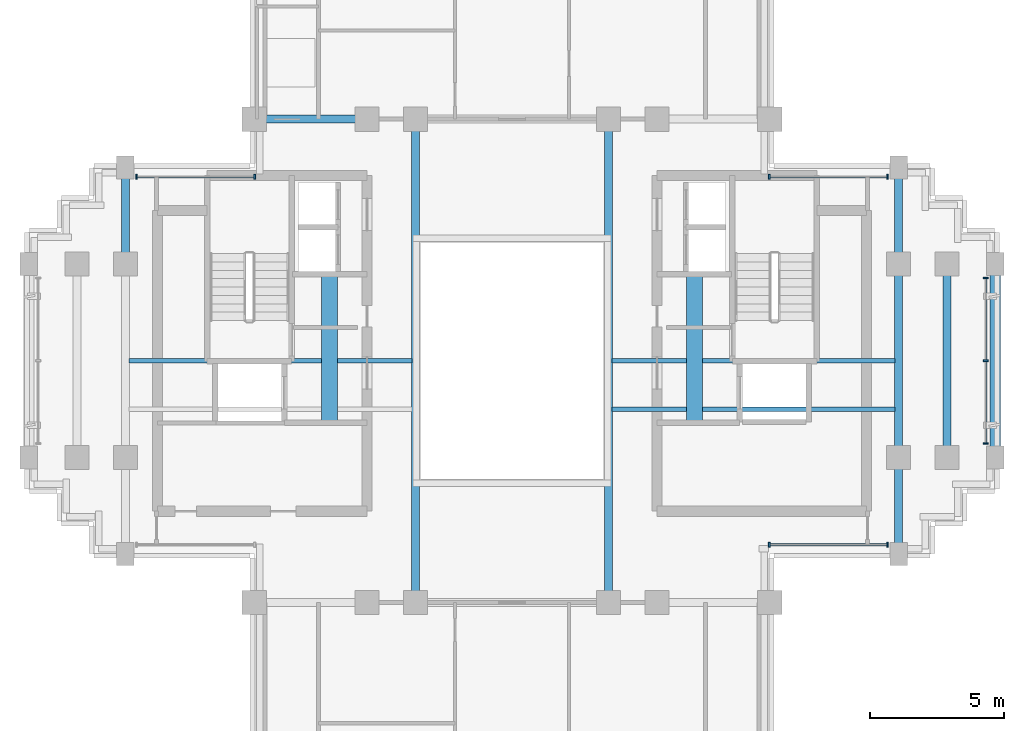
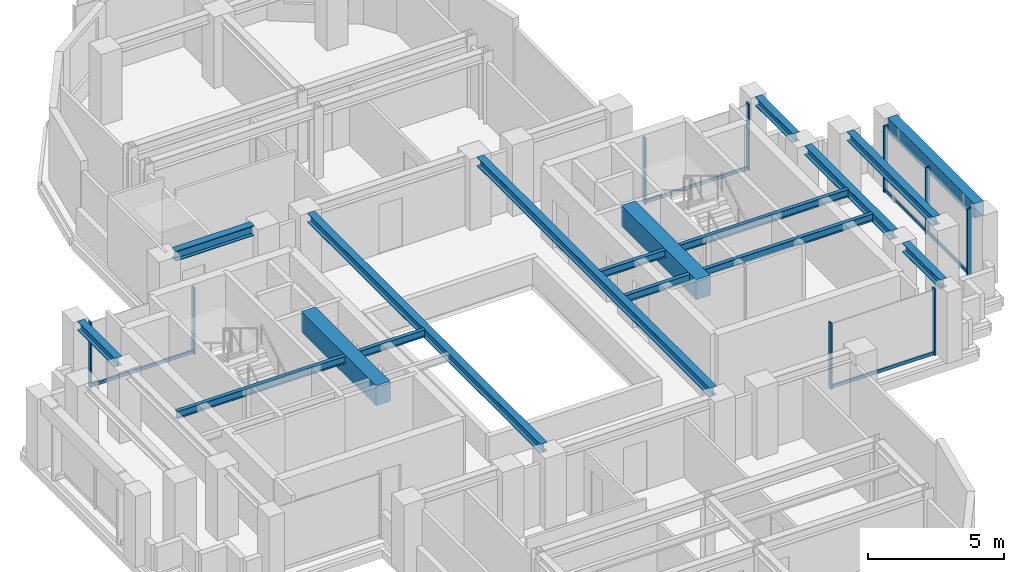
# One storey, part 3 of 11: 14 beams, 14 members, 4 elements without a shape of their own.
"""IFC4 building model written with IfcOpenShell, lengths in metres."""

import ifcopenshell
import ifcopenshell.guid

model = None  # the IFC model being written
_history = None  # IfcOwnerHistory: only IFC2X3 demands one
_inside = {}  # id of a spatial element -> (the spatial element, [elements in it])
_under = {}  # id of a project, library or spatial element -> (it, [spatial elements below it])
_declared = {}  # id of a project -> (the project, [libraries it declares])
_typed = {}  # id of a type object -> (the type object, [elements of that type])
_made_of = {}  # id of a material, layer set ... -> (it, [elements and type objects made of it])


def new_model(schema):
    """Start an empty IFC model of exactly this schema.

    Asked for "IFC4X3", IfcOpenShell would pick the latest addendum, in which some entities
    have other attributes; the version numbers below select the first issue.
    IFC2X3 requires an IfcOwnerHistory on every rooted entity: one is made here for all.
    """
    global model, _history
    if schema == "IFC4X3":
        model = ifcopenshell.file(schema_version=(4, 3, 0, 0))
    else:
        model = ifcopenshell.file(schema=schema)
    _inside.clear()
    _under.clear()
    _declared.clear()
    _typed.clear()
    _made_of.clear()
    _history = None
    if model.schema == "IFC2X3":
        org = make("IfcOrganization", Name="unknown")
        user = make(
            "IfcPersonAndOrganization",
            ThePerson=make("IfcPerson", FamilyName="unknown"),
            TheOrganization=org,
        )
        app = make(
            "IfcApplication",
            ApplicationDeveloper=org,
            Version="unknown",
            ApplicationFullName="unknown",
            ApplicationIdentifier="unknown",
        )
        _history = make(
            "IfcOwnerHistory",
            OwningUser=user,
            OwningApplication=app,
            ChangeAction="ADDED",
            CreationDate=0,
        )
    return model


def make(cls, **values):
    """One entity of the class cls with the attributes given. An attribute that is None is left unset."""
    return model.create_entity(
        cls, **{name: value for name, value in values.items() if value is not None}
    )


def rooted(cls, **values):
    """An entity with a GlobalId (a new one), such as an element, a storey or a relation."""
    return make(cls, GlobalId=ifcopenshell.guid.new(), OwnerHistory=_history, **values)


def si_unit(unit_type, name, prefix=None):
    """IfcSIUnit, for example si_unit("LENGTHUNIT", "METRE", prefix="MILLI")."""
    return make("IfcSIUnit", UnitType=unit_type, Prefix=prefix, Name=name)


def assignment(units):
    """IfcUnitAssignment: the units of a project."""
    return None if units is None else make("IfcUnitAssignment", Units=units)


def point(xyz):
    """IfcCartesianPoint."""
    return None if xyz is None else make("IfcCartesianPoint", Coordinates=xyz)


def direction(xyz):
    """IfcDirection."""
    return None if xyz is None else make("IfcDirection", DirectionRatios=xyz)


def frame(location, z_axis=None, x_axis=None):
    """IfcAxis2Placement3D, a coordinate frame: its origin and axes. An axis left out is left unset."""
    return make(
        "IfcAxis2Placement3D",
        Location=point(location),
        Axis=direction(z_axis),
        RefDirection=direction(x_axis),
    )


def frame_2d(location, x_axis=None):
    """IfcAxis2Placement2D, a coordinate frame in the plane: its origin and x axis."""
    return make(
        "IfcAxis2Placement2D", Location=point(location), RefDirection=direction(x_axis)
    )


def origin():
    """The frame at (0, 0, 0) with its axes left unset."""
    return frame((0.0, 0.0, 0.0))


def origin_2d():
    """The frame at (0, 0) in the plane with its x axis left unset."""
    return frame_2d((0.0, 0.0))


def place(relative_to, where):
    """IfcLocalPlacement: puts the frame where relative to a parent placement (None: the world)."""
    return make(
        "IfcLocalPlacement", PlacementRelTo=relative_to, RelativePlacement=where
    )


def context(
    kind, dimensions, precision=None, world=None, true_north=None, identifier=None
):
    """IfcGeometricRepresentationContext, for example the 3D "Model" context."""
    return make(
        "IfcGeometricRepresentationContext",
        ContextIdentifier=identifier,
        ContextType=kind,
        CoordinateSpaceDimension=dimensions,
        Precision=precision,
        WorldCoordinateSystem=world,
        TrueNorth=true_north,
    )


def subcontext(parent, identifier, kind, view, scale=None):
    """IfcGeometricRepresentationSubContext, for example "Body" below "Model"."""
    return make(
        "IfcGeometricRepresentationSubContext",
        ContextIdentifier=identifier,
        ContextType=kind,
        ParentContext=parent,
        TargetScale=scale,
        TargetView=view,
    )


def project(units=None, contexts=None):
    """IfcProject with its units and contexts."""
    return rooted(
        "IfcProject",
        Name="project",
        RepresentationContexts=contexts,
        UnitsInContext=assignment(units),
    )


def spatial(cls, under=None, at=None, **own):
    """A site, building, storey or space (cls), placed at a placement, below another one or the project."""
    s = rooted(cls, ObjectPlacement=at, **own)
    if under is not None:
        _under.setdefault(under.id(), (under, []))[1].append(s)
    return s


def profile(cls, at=None, kind="AREA", **sizes):
    """A parametric profile (cls). Its sizes go by their IFC names, for example OverallWidth=200.0."""
    return make(cls, ProfileType=kind, Position=at, **sizes)


def rectangle(**sizes):
    """IfcRectangleProfileDef."""
    return profile("IfcRectangleProfileDef", **sizes)


def i_section(**sizes):
    """IfcIShapeProfileDef."""
    return profile("IfcIShapeProfileDef", **sizes)


def extrude(swept, where, along, depth):
    """IfcExtrudedAreaSolid: the profile swept, set in the frame where, extruded along a direction by depth."""
    return make(
        "IfcExtrudedAreaSolid",
        SweptArea=swept,
        Position=where,
        ExtrudedDirection=direction(along),
        Depth=depth,
    )


def shape(context_of_items, identifier, shape_type, items):
    """IfcShapeRepresentation: the items that make up one representation, for example the "Body"."""
    return make(
        "IfcShapeRepresentation",
        ContextOfItems=context_of_items,
        RepresentationIdentifier=identifier,
        RepresentationType=shape_type,
        Items=items,
    )


def source(mapping_origin, context_of_items, identifier, shape_type, items):
    """IfcRepresentationMap: a shape defined once, which mapped items show again and again."""
    return make(
        "IfcRepresentationMap",
        MappingOrigin=mapping_origin,
        MappedRepresentation=shape(context_of_items, identifier, shape_type, items),
    )


def transform(
    local_origin,
    x_axis=None,
    y_axis=None,
    z_axis=None,
    scale=None,
    scale2=None,
    scale3=None,
    uniform=True,
):
    """IfcCartesianTransformationOperator3D, or its non-uniform kind. x_axis, y_axis, z_axis: its Axis1, 2, 3."""
    if uniform:
        return make(
            "IfcCartesianTransformationOperator3D",
            Axis1=direction(x_axis),
            Axis2=direction(y_axis),
            LocalOrigin=point(local_origin),
            Scale=scale,
            Axis3=direction(z_axis),
        )
    return make(
        "IfcCartesianTransformationOperator3DnonUniform",
        Axis1=direction(x_axis),
        Axis2=direction(y_axis),
        LocalOrigin=point(local_origin),
        Scale=scale,
        Axis3=direction(z_axis),
        Scale2=scale2,
        Scale3=scale3,
    )


def mapped(mapping_source, mapping_target):
    """IfcMappedItem: shows the shape of a source again, moved by a transform."""
    return make(
        "IfcMappedItem", MappingSource=mapping_source, MappingTarget=mapping_target
    )


def material(Name=None, Category=None):
    """IfcMaterial."""
    return make("IfcMaterial", Name=Name, Category=Category)


def material_profile(
    of_material, cross_section, Name=None, Category=None, Priority=None
):
    """IfcMaterialProfile: a cross section and its material."""
    return make(
        "IfcMaterialProfile",
        Name=Name,
        Material=of_material,
        Profile=cross_section,
        Priority=Priority,
        Category=Category,
    )


def profile_set(profiles, Name=None, composite=None):
    """IfcMaterialProfileSet."""
    return make(
        "IfcMaterialProfileSet",
        Name=Name,
        MaterialProfiles=profiles,
        CompositeProfile=composite,
    )


def made_of(thing, what):
    """Note that an element or type object is made of a material, layer set ...; save() writes the relation."""
    if what is not None:
        _made_of.setdefault(what.id(), (what, []))[1].append(thing)
    return thing


def type_object(cls, material=None, **own):
    """A type object (cls), such as IfcWallType, which elements share."""
    return made_of(rooted(cls, **own), material)


def element(
    cls,
    number,
    at=None,
    inside=None,
    cuts=None,
    type_object=None,
    material=None,
    context=None,
    identifier="Body",
    shape_type=None,
    held_by="IfcProductDefinitionShape",
    body=None,
    shapes=None,
    **own,
):
    """One element of the class cls, such as IfcWall. Its Tag is "e" and its number.

    at: its placement. inside: the storey or other place that contains it. cuts: it is an
    opening in that element (IfcRelVoidsElement). A single representation is given by context,
    identifier, shape_type and body (its items); several are given by shapes. held_by: the class
    of the entity that holds the representations. save() writes the other relations.
    """
    e = rooted(cls, Tag="e%d" % number, ObjectPlacement=at, **own)
    if body is not None:
        shapes = [shape(context, identifier, shape_type, body)]
    if shapes is not None:
        e.Representation = make(held_by, Representations=shapes)
    if inside is not None:
        _inside.setdefault(inside.id(), (inside, []))[1].append(e)
    if cuts is not None:
        rooted(
            "IfcRelVoidsElement", RelatingBuildingElement=cuts, RelatedOpeningElement=e
        )
    if type_object is not None:
        _typed.setdefault(type_object.id(), (type_object, []))[1].append(e)
    return made_of(e, material)


def aggregate(whole, parts):
    """IfcRelAggregates: a whole, such as a stair, and the parts it consists of."""
    return rooted("IfcRelAggregates", RelatingObject=whole, RelatedObjects=parts)


def save(model, path):
    """Write the relations noted so far, then the file.

    IfcRelAggregates (storeys below a building ...), IfcRelContainedInSpatialStructure (elements
    in a storey), IfcRelDefinesByType, IfcRelAssociatesMaterial and IfcRelDeclares: one each for
    every whole, place, type object, material and project.
    """
    for whole, parts in _under.values():
        aggregate(whole, parts)
    for where, things in _inside.values():
        rooted(
            "IfcRelContainedInSpatialStructure",
            RelatedElements=things,
            RelatingStructure=where,
        )
    for kind, things in _typed.values():
        rooted("IfcRelDefinesByType", RelatedObjects=things, RelatingType=kind)
    for what, things in _made_of.values():
        rooted("IfcRelAssociatesMaterial", RelatedObjects=things, RelatingMaterial=what)
    for by, libraries in _declared.values():
        rooted("IfcRelDeclares", RelatingContext=by, RelatedDefinitions=libraries)
    model.write(path)


model = new_model("IFC4")

# Units and contexts
model_context = context("Model", 3, precision=1e-05, world=origin(), true_north=direction((0.0, 1.0)))
body_context = subcontext(model_context, "Body", "Model", "MODEL_VIEW")
ifc_project = project(units=[si_unit("LENGTHUNIT", "METRE"), si_unit("AREAUNIT", "SQUARE_METRE"), si_unit("VOLUMEUNIT", "CUBIC_METRE"), si_unit("PLANEANGLEUNIT", "RADIAN"), si_unit("MASSUNIT", "GRAM", prefix="KILO")], contexts=[model_context])

# Site, building, storey
site_placement = place(None, origin())
site = spatial("IfcSite", under=ifc_project, at=site_placement, CompositionType="ELEMENT")
building_placement = place(site_placement, origin())
building = spatial("IfcBuilding", under=site, at=building_placement, Name="Keilestroom Media Tower", CompositionType="ELEMENT")
storey_placement = place(building_placement, frame((0.0, 0.0, 204.60009765625)))
storey = spatial("IfcBuildingStorey", under=building, at=storey_placement, Name="L56", CompositionType="ELEMENT", Elevation=204.60009765625)

# Beams
ifc_material_1 = material(Name="Concrete C70/85", Category="concrete")
ifc_material_profile_1 = material_profile(ifc_material_1, rectangle(XDim=0.60009765625, YDim=0.89990234375, at=origin_2d()), Name="RC 600x900")
ifc_profile_set_1 = profile_set([ifc_material_profile_1], Name="Concrete C70/85")
beam_type_1 = type_object("IfcBeamType", Name="Core-Coupling-Lintel-Beam-RC-600x900", PredefinedType="LINTEL", material=ifc_profile_set_1)
shared_shape_1 = source(origin(), body_context, "Body", "SweptSolid", [
    extrude(rectangle(XDim=0.60009765625, YDim=0.89990234375, at=origin_2d()), origin(), (0.0, 0.0, 1.0), 5.52001953125),
])
for number, where, z_axis, x_axis, name in (
    (1, (-6.800048828125, -2.300048828125, 2.75), (0.0, 1.0, 0.0), (-1.0, 0.0, 0.0), "L56 Beam CLB-1 CLB-L56-W"),
    (2, (6.800048828125, -2.300048828125, 2.75), (0.0, 1.0, 0.0), (-1.0, 0.0, 0.0), "L56 Beam CLB-1 CLB-L56-E"),
):
    element("IfcBeam", number, at=place(storey_placement, frame(where, z_axis=z_axis, x_axis=x_axis)), inside=storey, type_object=beam_type_1, Name=name, PredefinedType="LINTEL", context=body_context, shape_type="MappedRepresentation", body=[
        mapped(shared_shape_1, transform((0.0, 0.0, 0.0), x_axis=(1.0, 0.0, 0.0), y_axis=(0.0, 1.0, 0.0), z_axis=(0.0, 0.0, 1.0), scale=1.0)),
    ])
ifc_material_2 = material(Name="Steel S355", Category="steel")
ifc_material_profile_2 = material_profile(ifc_material_2, i_section(OverallWidth=0.300048828125, OverallDepth=0.449951171875, WebThickness=0.011962890625, FlangeThickness=0.02587890625, at=origin_2d()), Name="HEB 450")
ifc_profile_set_2 = profile_set([ifc_material_profile_2], Name="Steel S355")
beam_type_2 = type_object("IfcBeamType", Name="Primary-Structural-Girder-HEB-450", PredefinedType="BEAM", material=ifc_profile_set_2)
shared_shape_2 = source(origin(), body_context, "Body", "SweptSolid", [
    extrude(i_section(OverallWidth=0.300048828125, OverallDepth=0.449951171875, WebThickness=0.011962890625, FlangeThickness=0.02587890625, at=origin_2d()), origin(), (0.0, 0.0, 1.0), 3.33984375),
])
beam_1_placement = place(storey_placement, frame((-9.169921875, 9.0, 2.974853515625), z_axis=(1.0, 0.0, 0.0), x_axis=(0.0, 1.0, 0.0)))
element("IfcBeam", 3, at=beam_1_placement, inside=storey, type_object=beam_type_2, Name="L56 Beam BG-7 BM-L56-EW-020", PredefinedType="BEAM", context=body_context, shape_type="MappedRepresentation", body=[
    mapped(shared_shape_2, transform((0.0, 0.0, 0.0), x_axis=(1.0, 0.0, 0.0), y_axis=(0.0, 1.0, 0.0), z_axis=(0.0, 0.0, 1.0), scale=1.0)),
])
ifc_material_3 = material(Name="Precast concrete C40/50", Category="concrete")
ifc_material_profile_3 = material_profile(ifc_material_3, rectangle(XDim=0.39990234375, YDim=0.64990234375, at=origin_2d()), Name="PC 400x650")
ifc_profile_set_3 = profile_set([ifc_material_profile_3], Name="Precast concrete C40/50")
beam_type_3 = type_object("IfcBeamType", Name="Perimeter-Spandrel-Beam-PC-400x650", PredefinedType="SPANDREL", material=ifc_profile_set_3)
shared_shape_3 = source(origin(), body_context, "Body", "SweptSolid", [
    extrude(rectangle(XDim=0.39990234375, YDim=0.64990234375, at=origin_2d()), origin(), (0.0, 0.0, 1.0), 6.39013671875),
])
beam_2_placement = place(storey_placement, frame((18.0, -3.195068359375, 2.875), z_axis=(0.0, 1.0, 0.0), x_axis=(-1.0, 0.0, 0.0)))
element("IfcBeam", 4, at=beam_2_placement, inside=storey, type_object=beam_type_3, Name="L56 Beam SPB-2 BM-L56-NS-054", PredefinedType="SPANDREL", context=body_context, shape_type="MappedRepresentation", body=[
    mapped(shared_shape_3, transform((0.0, 0.0, 0.0), x_axis=(1.0, 0.0, 0.0), y_axis=(0.0, 1.0, 0.0), z_axis=(0.0, 0.0, 1.0), scale=1.0)),
])
ifc_material_profile_4 = material_profile(ifc_material_2, i_section(OverallWidth=0.300048828125, OverallDepth=0.39990234375, WebThickness=0.011474609375, FlangeThickness=0.02392578125, at=origin_2d()), Name="HEB 400")
ifc_profile_set_4 = profile_set([ifc_material_profile_4], Name="Steel S355")
beam_type_4 = type_object("IfcBeamType", Name="Primary-Structural-Girder-HEB-400", PredefinedType="BEAM", material=ifc_profile_set_4)
shared_shape_4 = source(origin(), body_context, "Body", "SweptSolid", [
    extrude(i_section(OverallWidth=0.300048828125, OverallDepth=0.39990234375, WebThickness=0.011474609375, FlangeThickness=0.02392578125, at=origin_2d()), origin(), (0.0, 0.0, 1.0), 6.33984375),
])
for number, where, z_axis, x_axis, name in (
    (5, (14.39990234375, -3.169921875, 3.0), (0.0, 1.0, 0.0), (-1.0, 0.0, 0.0), "L56 Beam BG-8 BM-L56-NS-051"),
    (6, (16.199951171875, -3.169921875, 3.0), (0.0, 1.0, 0.0), (-1.0, 0.0, 0.0), "L56 Beam BG-8 BM-L56-NS-053"),
):
    element("IfcBeam", number, at=place(storey_placement, frame(where, z_axis=z_axis, x_axis=x_axis)), inside=storey, type_object=beam_type_4, Name=name, PredefinedType="BEAM", context=body_context, shape_type="MappedRepresentation", body=[
        mapped(shared_shape_4, transform((0.0, 0.0, 0.0), x_axis=(1.0, 0.0, 0.0), y_axis=(0.0, 1.0, 0.0), z_axis=(0.0, 0.0, 1.0), scale=1.0)),
    ])
shared_shape_5 = source(origin(), body_context, "Body", "SweptSolid", [
    extrude(i_section(OverallWidth=0.300048828125, OverallDepth=0.39990234375, WebThickness=0.011474609375, FlangeThickness=0.02392578125, at=origin_2d()), origin(), (0.0, 0.0, 1.0), 2.764892578125),
])
for number, where, z_axis, x_axis, name in (
    (7, (-14.39990234375, 4.030029296875, 3.0), (0.0, 1.0, 0.0), (-1.0, 0.0, 0.0), "L56 Beam BG-8 BM-L56-NS-035"),
    (8, (14.39990234375, -6.794921875, 3.0), (0.0, 1.0, 0.0), (-1.0, 0.0, 0.0), "L56 Beam BG-8 BM-L56-NS-050"),
    (9, (14.39990234375, 4.030029296875, 3.0), (0.0, 1.0, 0.0), (-1.0, 0.0, 0.0), "L56 Beam BG-8 BM-L56-NS-052"),
):
    element("IfcBeam", number, at=place(storey_placement, frame(where, z_axis=z_axis, x_axis=x_axis)), inside=storey, type_object=beam_type_4, Name=name, PredefinedType="BEAM", context=body_context, shape_type="MappedRepresentation", body=[
        mapped(shared_shape_5, transform((0.0, 0.0, 0.0), x_axis=(1.0, 0.0, 0.0), y_axis=(0.0, 1.0, 0.0), z_axis=(0.0, 0.0, 1.0), scale=1.0)),
    ])
shared_shape_6 = source(origin(), body_context, "Body", "SweptSolid", [
    extrude(i_section(OverallWidth=0.300048828125, OverallDepth=0.39990234375, WebThickness=0.011474609375, FlangeThickness=0.02392578125, at=origin_2d()), origin(), (0.0, 0.0, 1.0), 17.14013671875),
])
for number, where, z_axis, x_axis, name in (
    (10, (-3.60009765625, -8.570068359375, 3.0), (0.0, 1.0, 0.0), (-1.0, 0.0, 0.0), "L56 Beam BG-8 BM-L56-NS-040"),
    (11, (3.60009765625, -8.570068359375, 3.0), (0.0, 1.0, 0.0), (-1.0, 0.0, 0.0), "L56 Beam BG-8 BM-L56-NS-045"),
):
    element("IfcBeam", number, at=place(storey_placement, frame(where, z_axis=z_axis, x_axis=x_axis)), inside=storey, type_object=beam_type_4, Name=name, PredefinedType="BEAM", context=body_context, shape_type="MappedRepresentation", body=[
        mapped(shared_shape_6, transform((0.0, 0.0, 0.0), x_axis=(1.0, 0.0, 0.0), y_axis=(0.0, 1.0, 0.0), z_axis=(0.0, 0.0, 1.0), scale=1.0)),
    ])
ifc_material_profile_5 = material_profile(ifc_material_2, i_section(OverallWidth=0.159912109375, OverallDepth=0.330078125, WebThickness=0.007568359375, FlangeThickness=0.011474609375, at=origin_2d()), Name="IPE 330")
ifc_profile_set_5 = profile_set([ifc_material_profile_5], Name="Steel S355")
beam_type_5 = type_object("IfcBeamType", Name="Secondary-Floor-Joist-IPE-330", PredefinedType="JOIST", material=ifc_profile_set_5)
shared_shape_7 = source(origin(), body_context, "Body", "SweptSolid", [
    extrude(i_section(OverallWidth=0.159912109375, OverallDepth=0.330078125, WebThickness=0.007568359375, FlangeThickness=0.011474609375, at=origin_2d()), origin(), (0.0, 0.0, 1.0), 10.5400390625),
])
for number, where, z_axis, x_axis, name in (
    (12, (3.72998046875, -1.800048828125, 3.034912109375), (1.0, 0.0, 0.0), (0.0, 1.0, 0.0), "L56 Beam BJ-6 JST-L56-059"),
    (13, (-14.27001953125, 0.0, 3.034912109375), (1.0, 0.0, 0.0), (0.0, 1.0, 0.0), "L56 Beam BJ-6 JST-L56-060"),
    (14, (3.72998046875, 0.0, 3.034912109375), (1.0, 0.0, 0.0), (0.0, 1.0, 0.0), "L56 Beam BJ-6 JST-L56-062"),
):
    element("IfcBeam", number, at=place(storey_placement, frame(where, z_axis=z_axis, x_axis=x_axis)), inside=storey, type_object=beam_type_5, Name=name, PredefinedType="JOIST", context=body_context, shape_type="MappedRepresentation", body=[
        mapped(shared_shape_7, transform((0.0, 0.0, 0.0), x_axis=(1.0, 0.0, 0.0), y_axis=(0.0, 1.0, 0.0), z_axis=(0.0, 0.0, 1.0), scale=1.0)),
    ])

# Curtain wall, members
ifc_material_4 = material(Name="Anodised Aluminium Alloy", Category="aluminium")
curtain_wall_type = type_object("IfcCurtainWallType", Name="Unitised-Curtain-Wall-CW-3", PredefinedType="NOTDEFINED", material=ifc_material_4)
curtain_wall_1_placement = place(storey_placement, origin())
curtain_wall_1 = element("IfcCurtainWall", 15, at=curtain_wall_1_placement, inside=storey, type_object=curtain_wall_type, Name="L56 Curtain Wall CW-3 CW-L56-E-1", PredefinedType="NOTDEFINED")
ifc_material_profile_6 = material_profile(ifc_material_4, rectangle(XDim=0.06494140625, YDim=0.179931640625, at=origin_2d()), Name="ALU MULLION 65x180")
ifc_profile_set_6 = profile_set([ifc_material_profile_6], Name="Anodised Aluminium Alloy")
member_type_1 = type_object("IfcMemberType", Name="Curtain-Wall-Mullion-CW-3", PredefinedType="MULLION", material=ifc_profile_set_6)
shared_shape_8 = source(origin(), body_context, "Body", "SweptSolid", [
    extrude(rectangle(XDim=0.06494140625, YDim=0.179931640625, at=origin_2d()), origin(), (0.0, 0.0, 1.0), 2.97998046875),
])
member_1_placement = place(storey_placement, frame((17.64990234375, -3.08251953125, 0.0), z_axis=(0.0, 0.0, 1.0), x_axis=(0.0, 1.0, 0.0)))
member_1 = element("IfcMember", 16, at=member_1_placement, type_object=member_type_1, Name="CW-3 Mullion 00", PredefinedType="MULLION", context=body_context, shape_type="MappedRepresentation", body=[
    mapped(shared_shape_8, transform((0.0, 0.0, 0.0), x_axis=(1.0, 0.0, 0.0), y_axis=(0.0, 1.0, 0.0), z_axis=(0.0, 0.0, 1.0), scale=1.0)),
])
member_2_placement = place(storey_placement, frame((17.64990234375, 0.0, 0.0), z_axis=(0.0, 0.0, 1.0), x_axis=(0.0, 1.0, 0.0)))
member_2 = element("IfcMember", 17, at=member_2_placement, type_object=member_type_1, Name="CW-3 Mullion 01", PredefinedType="MULLION", context=body_context, shape_type="MappedRepresentation", body=[
    mapped(shared_shape_8, transform((0.0, 0.0, 0.0), x_axis=(1.0, 0.0, 0.0), y_axis=(0.0, 1.0, 0.0), z_axis=(0.0, 0.0, 1.0), scale=1.0)),
])
member_3_placement = place(storey_placement, frame((17.64990234375, 3.08251953125, 0.0), z_axis=(0.0, 0.0, 1.0), x_axis=(0.0, 1.0, 0.0)))
member_3 = element("IfcMember", 18, at=member_3_placement, type_object=member_type_1, Name="CW-3 Mullion 02", PredefinedType="MULLION", context=body_context, shape_type="MappedRepresentation", body=[
    mapped(shared_shape_8, transform((0.0, 0.0, 0.0), x_axis=(1.0, 0.0, 0.0), y_axis=(0.0, 1.0, 0.0), z_axis=(0.0, 0.0, 1.0), scale=1.0)),
])

curtain_wall_2_placement = place(storey_placement, origin())
curtain_wall_2 = element("IfcCurtainWall", 19, at=curtain_wall_2_placement, inside=storey, type_object=curtain_wall_type, Name="L56 Curtain Wall CW-3 CW-L56-NW-1", PredefinedType="NOTDEFINED")
member_4_placement = place(storey_placement, frame((-13.982421875, 6.85009765625, 0.0), z_axis=(0.0, 0.0, 1.0), x_axis=(1.0, 0.0, 0.0)))
member_4 = element("IfcMember", 20, at=member_4_placement, type_object=member_type_1, Name="CW-3 Mullion 00", PredefinedType="MULLION", context=body_context, shape_type="MappedRepresentation", body=[
    mapped(shared_shape_8, transform((0.0, 0.0, 0.0), x_axis=(1.0, 0.0, 0.0), y_axis=(0.0, 1.0, 0.0), z_axis=(0.0, 0.0, 1.0), scale=1.0)),
])
member_5_placement = place(storey_placement, frame((-9.58251953125, 6.85009765625, 0.0), z_axis=(0.0, 0.0, 1.0), x_axis=(1.0, 0.0, 0.0)))
member_5 = element("IfcMember", 21, at=member_5_placement, type_object=member_type_1, Name="CW-3 Mullion 01", PredefinedType="MULLION", context=body_context, shape_type="MappedRepresentation", body=[
    mapped(shared_shape_8, transform((0.0, 0.0, 0.0), x_axis=(1.0, 0.0, 0.0), y_axis=(0.0, 1.0, 0.0), z_axis=(0.0, 0.0, 1.0), scale=1.0)),
])

curtain_wall_3_placement = place(storey_placement, origin())
curtain_wall_3 = element("IfcCurtainWall", 22, at=curtain_wall_3_placement, inside=storey, type_object=curtain_wall_type, Name="L56 Curtain Wall CW-3 CW-L56-NE-1", PredefinedType="NOTDEFINED")
member_6_placement = place(storey_placement, frame((9.58251953125, 6.85009765625, 0.0), z_axis=(0.0, 0.0, 1.0), x_axis=(1.0, 0.0, 0.0)))
member_6 = element("IfcMember", 23, at=member_6_placement, type_object=member_type_1, Name="CW-3 Mullion 00", PredefinedType="MULLION", context=body_context, shape_type="MappedRepresentation", body=[
    mapped(shared_shape_8, transform((0.0, 0.0, 0.0), x_axis=(1.0, 0.0, 0.0), y_axis=(0.0, 1.0, 0.0), z_axis=(0.0, 0.0, 1.0), scale=1.0)),
])
member_7_placement = place(storey_placement, frame((13.982421875, 6.85009765625, 0.0), z_axis=(0.0, 0.0, 1.0), x_axis=(1.0, 0.0, 0.0)))
member_7 = element("IfcMember", 24, at=member_7_placement, type_object=member_type_1, Name="CW-3 Mullion 01", PredefinedType="MULLION", context=body_context, shape_type="MappedRepresentation", body=[
    mapped(shared_shape_8, transform((0.0, 0.0, 0.0), x_axis=(1.0, 0.0, 0.0), y_axis=(0.0, 1.0, 0.0), z_axis=(0.0, 0.0, 1.0), scale=1.0)),
])

curtain_wall_4_placement = place(storey_placement, origin())
curtain_wall_4 = element("IfcCurtainWall", 25, at=curtain_wall_4_placement, inside=storey, type_object=curtain_wall_type, Name="L56 Curtain Wall CW-3 CW-L56-SE-1", PredefinedType="NOTDEFINED")
member_8_placement = place(storey_placement, frame((9.58251953125, -6.85009765625, 0.0), z_axis=(0.0, 0.0, 1.0), x_axis=(1.0, 0.0, 0.0)))
member_8 = element("IfcMember", 26, at=member_8_placement, type_object=member_type_1, Name="CW-3 Mullion 00", PredefinedType="MULLION", context=body_context, shape_type="MappedRepresentation", body=[
    mapped(shared_shape_8, transform((0.0, 0.0, 0.0), x_axis=(1.0, 0.0, 0.0), y_axis=(0.0, 1.0, 0.0), z_axis=(0.0, 0.0, 1.0), scale=1.0)),
])
member_9_placement = place(storey_placement, frame((13.982421875, -6.85009765625, 0.0), z_axis=(0.0, 0.0, 1.0), x_axis=(1.0, 0.0, 0.0)))
member_9 = element("IfcMember", 27, at=member_9_placement, type_object=member_type_1, Name="CW-3 Mullion 01", PredefinedType="MULLION", context=body_context, shape_type="MappedRepresentation", body=[
    mapped(shared_shape_8, transform((0.0, 0.0, 0.0), x_axis=(1.0, 0.0, 0.0), y_axis=(0.0, 1.0, 0.0), z_axis=(0.0, 0.0, 1.0), scale=1.0)),
])

# Member
ifc_material_profile_7 = material_profile(ifc_material_4, rectangle(XDim=0.06494140625, YDim=0.14990234375, at=origin_2d()), Name="ALU TRANSOM 65x150")
ifc_profile_set_7 = profile_set([ifc_material_profile_7], Name="Anodised Aluminium Alloy")
member_type_2 = type_object("IfcMemberType", Name="Curtain-Wall-Transom-CW-3", PredefinedType="USERDEFINED", material=ifc_profile_set_7)
shared_shape_9 = source(origin(), body_context, "Body", "SweptSolid", [
    extrude(rectangle(XDim=0.06494140625, YDim=0.14990234375, at=origin_2d()), origin(), (0.0, 0.0, 1.0), 4.3388671875),
])
member_10_placement = place(storey_placement, frame((-13.951904296875, 6.85009765625, 0.074951171875), z_axis=(1.0, 0.0, 0.0), x_axis=(0.0, 1.0, 0.0)))
member_10 = element("IfcMember", 28, at=member_10_placement, type_object=member_type_2, Name="CW-3 Transom 00.1", ObjectType="TRANSOM", PredefinedType="USERDEFINED", context=body_context, shape_type="MappedRepresentation", body=[
    mapped(shared_shape_9, transform((0.0, 0.0, 0.0), x_axis=(1.0, 0.0, 0.0), y_axis=(0.0, 1.0, 0.0), z_axis=(0.0, 0.0, 1.0), scale=1.0)),
])

aggregate(curtain_wall_2, [member_4, member_5, member_10])

member_11_placement = place(storey_placement, frame((9.613037109375, 6.85009765625, 0.074951171875), z_axis=(1.0, 0.0, 0.0), x_axis=(0.0, 1.0, 0.0)))
member_11 = element("IfcMember", 29, at=member_11_placement, type_object=member_type_2, Name="CW-3 Transom 00.1", ObjectType="TRANSOM", PredefinedType="USERDEFINED", context=body_context, shape_type="MappedRepresentation", body=[
    mapped(shared_shape_9, transform((0.0, 0.0, 0.0), x_axis=(1.0, 0.0, 0.0), y_axis=(0.0, 1.0, 0.0), z_axis=(0.0, 0.0, 1.0), scale=1.0)),
])

aggregate(curtain_wall_3, [member_6, member_7, member_11])

member_12_placement = place(storey_placement, frame((9.613037109375, -6.85009765625, 0.074951171875), z_axis=(1.0, 0.0, 0.0), x_axis=(0.0, 1.0, 0.0)))
member_12 = element("IfcMember", 30, at=member_12_placement, type_object=member_type_2, Name="CW-3 Transom 00.1", ObjectType="TRANSOM", PredefinedType="USERDEFINED", context=body_context, shape_type="MappedRepresentation", body=[
    mapped(shared_shape_9, transform((0.0, 0.0, 0.0), x_axis=(1.0, 0.0, 0.0), y_axis=(0.0, 1.0, 0.0), z_axis=(0.0, 0.0, 1.0), scale=1.0)),
])

aggregate(curtain_wall_4, [member_8, member_9, member_12])

shared_shape_10 = source(origin(), body_context, "Body", "SweptSolid", [
    extrude(rectangle(XDim=0.06494140625, YDim=0.14990234375, at=origin_2d()), origin(), (0.0, 0.0, 1.0), 3.021484375),
])
member_13_placement = place(storey_placement, frame((17.64990234375, -3.052001953125, 0.074951171875), z_axis=(0.0, 1.0, 0.0), x_axis=(-1.0, 0.0, 0.0)))
member_13 = element("IfcMember", 31, at=member_13_placement, type_object=member_type_2, Name="CW-3 Transom 00.1", ObjectType="TRANSOM", PredefinedType="USERDEFINED", context=body_context, shape_type="MappedRepresentation", body=[
    mapped(shared_shape_10, transform((0.0, 0.0, 0.0), x_axis=(1.0, 0.0, 0.0), y_axis=(0.0, 1.0, 0.0), z_axis=(0.0, 0.0, 1.0), scale=1.0)),
])

member_14_placement = place(storey_placement, frame((17.64990234375, 0.030517578125, 0.074951171875), z_axis=(0.0, 1.0, 0.0), x_axis=(-1.0, 0.0, 0.0)))
member_14 = element("IfcMember", 32, at=member_14_placement, type_object=member_type_2, Name="CW-3 Transom 01.1", ObjectType="TRANSOM", PredefinedType="USERDEFINED", context=body_context, shape_type="MappedRepresentation", body=[
    mapped(shared_shape_10, transform((0.0, 0.0, 0.0), x_axis=(1.0, 0.0, 0.0), y_axis=(0.0, 1.0, 0.0), z_axis=(0.0, 0.0, 1.0), scale=1.0)),
])

aggregate(curtain_wall_1, [member_1, member_2, member_3, member_13, member_14])

save(model, "model.ifc")
